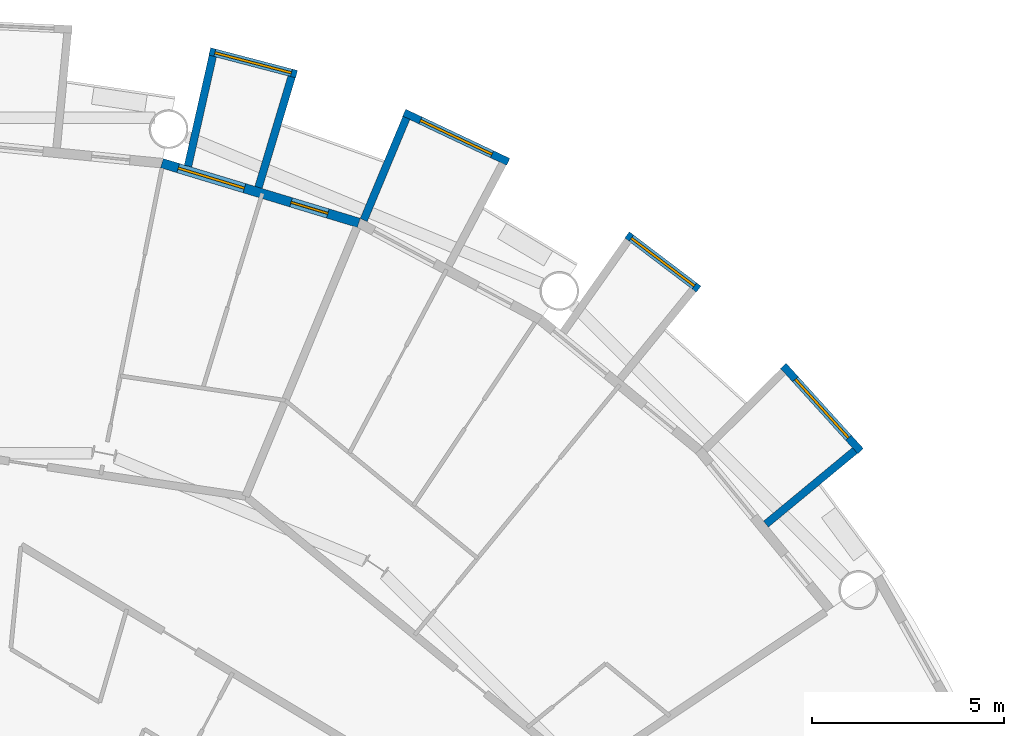
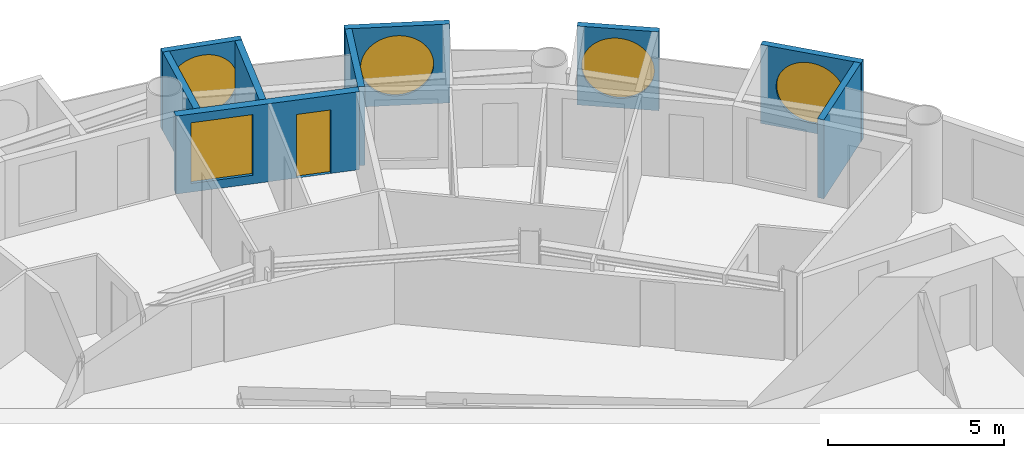
# One storey, part 22 of 26: 9 walls, 5 windows, 1 door, 6 openings.
"""IFC4 building model written with IfcOpenShell, lengths in metres."""

from ifc_helpers import new_model, si_unit, direction, frame, frame_2d, origin, place, context, subcontext, project, spatial, rectangle, circle, extrude, material, layer, layer_set, type_object, element, fill, save


model = new_model("IFC4")

# Units and contexts
model_context = context("Model", 3, precision=1e-05, world=origin(), true_north=direction((0.0, 1.0)))
body_context = subcontext(model_context, "Body", "Model", "MODEL_VIEW")
ifc_project = project(units=[si_unit("LENGTHUNIT", "METRE"), si_unit("AREAUNIT", "SQUARE_METRE"), si_unit("VOLUMEUNIT", "CUBIC_METRE"), si_unit("PLANEANGLEUNIT", "RADIAN"), si_unit("MASSUNIT", "GRAM", prefix="KILO")], contexts=[model_context])

# Site, building, storey
site_placement = place(None, origin())
site = spatial("IfcSite", under=ifc_project, at=site_placement, CompositionType="ELEMENT")
building_placement = place(site_placement, origin())
building = spatial("IfcBuilding", under=site, at=building_placement, Name="Maasbend Ring Residences", CompositionType="ELEMENT")
storey_placement = place(building_placement, frame((0.0, 0.0, 50.25)))
storey = spatial("IfcBuildingStorey", under=building, at=storey_placement, Name="L14", CompositionType="ELEMENT", Elevation=50.25)

# Wall, opening, window
ifc_material_1 = material(Name="Pale anodised aluminium panel", Category="aluminium")
ifc_layer_1 = layer(ifc_material_1, 0.199951171875)
ifc_layer_set_1 = layer_set([ifc_layer_1], Name="EW-BOX")
wall_type_1 = type_object("IfcWallType", Name="EW-BOX", PredefinedType="SOLIDWALL", material=ifc_layer_set_1)
wall_1_placement = place(storey_placement, frame((23.5029296875, 19.281982421875, -0.030029296875), z_axis=(0.0, 0.0, 1.0), x_axis=(-0.671506829416, 0.740998365753, 0.0)))
wall_1 = element("IfcWall", 1, at=wall_1_placement, inside=storey, type_object=wall_type_1, Name="Box front N02", PredefinedType="SOLIDWALL", context=body_context, shape_type="SweptSolid", body=[
    extrude(rectangle(XDim=2.9931640625, YDim=0.199951171875, at=frame_2d((1.49658203125, 0.0))), origin(), (0.0, 0.0, 1.0), 2.72998046875),
])
opening_1_placement = place(wall_1_placement, frame((0.45654296875, 0.0, 0.330078125)))
opening_1 = element("IfcOpeningElement", 2, at=opening_1_placement, cuts=wall_1, Name="Opening W-RD", PredefinedType="OPENING", context=body_context, shape_type="SweptSolid", body=[
    extrude(circle(Radius=1.0400390625, at=frame_2d((1.0400390625, 1.0400390625))), frame((0.0, 0.10986328125, 0.0), z_axis=(0.0, -1.0, 0.0), x_axis=(1.0, 0.0, 0.0)), (0.0, 0.0, 1.0), 0.219970703125),
])
ifc_material_2 = material(Name="Aluminium and clear glass", Category="aluminium")
window_type_1 = type_object("IfcWindowType", Name="W-RD", PartitioningType="SINGLE_PANEL", PredefinedType="WINDOW", material=ifc_material_2)
window_1_placement = place(opening_1_placement, origin())
window_1 = element("IfcWindow", 3, at=window_1_placement, inside=storey, type_object=window_type_1, Name="Round window N02", OverallHeight=2.080078125, OverallWidth=2.080078125, PartitioningType="SINGLE_PANEL", PredefinedType="WINDOW", context=body_context, shape_type="SweptSolid", body=[
    extrude(circle(Radius=1.0400390625, at=frame_2d((1.0400390625, 1.0400390625))), frame((0.0, 0.030029296875, 0.0), z_axis=(0.0, -1.0, 0.0), x_axis=(1.0, 0.0, 0.0)), (0.0, 0.0, 1.0), 0.06005859375),
])
fill(opening_1, window_1)

# Wall
wall_2_placement = place(storey_placement, frame((21.041015625, 17.384033203125, -0.030029296875), z_axis=(0.0, 0.0, 1.0), x_axis=(0.770784861449, 0.63709551667, 0.0)))
element("IfcWall", 4, at=wall_2_placement, inside=storey, type_object=wall_type_1, Name="Box side wall N02 left", PredefinedType="SOLIDWALL", context=body_context, shape_type="SweptSolid", body=[
    extrude(rectangle(XDim=3.005859375, YDim=0.199951171875, at=frame_2d((1.5029296875, 0.0))), origin(), (0.0, 0.0, 1.0), 2.72998046875),
])

# Wall, opening, window
wall_3_placement = place(storey_placement, frame((19.2890625, 23.4970703125, -0.030029296875), z_axis=(0.0, 0.0, 1.0), x_axis=(-0.796842165306, 0.60418752353, 0.0)))
wall_3 = element("IfcWall", 5, at=wall_3_placement, inside=storey, type_object=wall_type_1, Name="Box front N04", PredefinedType="SOLIDWALL", context=body_context, shape_type="SweptSolid", body=[
    extrude(rectangle(XDim=2.3369140625, YDim=0.199951171875, at=frame_2d((1.16845703125, 0.0))), origin(), (0.0, 0.0, 1.0), 2.72998046875),
])
opening_2_placement = place(wall_3_placement, frame((0.128173828125, 0.0, 0.330078125)))
opening_2 = element("IfcOpeningElement", 6, at=opening_2_placement, cuts=wall_3, Name="Opening W-RD", PredefinedType="OPENING", context=body_context, shape_type="SweptSolid", body=[
    extrude(circle(Radius=1.0400390625, at=frame_2d((1.0400390625, 1.0400390625))), frame((0.0, 0.10986328125, 0.0), z_axis=(0.0, -1.0, 0.0), x_axis=(1.0, 0.0, 0.0)), (0.0, 0.0, 1.0), 0.219970703125),
])
window_2_placement = place(opening_2_placement, origin())
window_2 = element("IfcWindow", 7, at=window_2_placement, inside=storey, type_object=window_type_1, Name="Round window N04", OverallHeight=2.080078125, OverallWidth=2.080078125, PartitioningType="SINGLE_PANEL", PredefinedType="WINDOW", context=body_context, shape_type="SweptSolid", body=[
    extrude(circle(Radius=1.0400390625, at=frame_2d((1.0400390625, 1.0400390625))), frame((0.0, 0.030029296875, 0.0), z_axis=(0.0, -1.0, 0.0), x_axis=(1.0, 0.0, 0.0)), (0.0, 0.0, 1.0), 0.06005859375),
])
fill(opening_2, window_2)

wall_4_placement = place(storey_placement, frame((14.3349609375, 26.80810546875, -0.030029296875), z_axis=(0.0, 0.0, 1.0), x_axis=(-0.904000060331, 0.427532327342, 0.0)))
wall_4 = element("IfcWall", 8, at=wall_4_placement, inside=storey, type_object=wall_type_1, Name="Box front N06", PredefinedType="SOLIDWALL", context=body_context, shape_type="SweptSolid", body=[
    extrude(rectangle(XDim=2.993408203125, YDim=0.199951171875, at=frame_2d((1.49658203125, 0.0))), origin(), (0.0, 0.0, 1.0), 2.72998046875),
])
opening_3_placement = place(wall_4_placement, frame((0.45654296875, 0.0, 0.330078125)))
opening_3 = element("IfcOpeningElement", 9, at=opening_3_placement, cuts=wall_4, Name="Opening W-RD", PredefinedType="OPENING", context=body_context, shape_type="SweptSolid", body=[
    extrude(circle(Radius=1.0400390625, at=frame_2d((1.0400390625, 1.0400390625))), frame((0.0, 0.10986328125, 0.0), z_axis=(0.0, -1.0, 0.0), x_axis=(1.0, 0.0, 0.0)), (0.0, 0.0, 1.0), 0.219970703125),
])
window_3_placement = place(opening_3_placement, origin())
window_3 = element("IfcWindow", 10, at=window_3_placement, inside=storey, type_object=window_type_1, Name="Round window N06", OverallHeight=2.080078125, OverallWidth=2.080078125, PartitioningType="SINGLE_PANEL", PredefinedType="WINDOW", context=body_context, shape_type="SweptSolid", body=[
    extrude(circle(Radius=1.0400390625, at=frame_2d((1.0400390625, 1.0400390625))), frame((0.0, 0.030029296875, 0.0), z_axis=(0.0, -1.0, 0.0), x_axis=(1.0, 0.0, 0.0)), (0.0, 0.0, 1.0), 0.06005859375),
])
fill(opening_3, window_3)

# Wall
wall_5_placement = place(storey_placement, frame((10.574951171875, 25.294921875, -0.030029296875), z_axis=(0.0, 0.0, 1.0), x_axis=(0.385697364644, 0.922625353492, 0.0)))
element("IfcWall", 11, at=wall_5_placement, inside=storey, type_object=wall_type_1, Name="Box side wall N06 right", PredefinedType="SOLIDWALL", context=body_context, shape_type="SweptSolid", body=[
    extrude(rectangle(XDim=2.88330078125, YDim=0.199951171875, at=frame_2d((1.441650390625, 0.0))), origin(), (0.0, 0.0, 1.0), 2.72998046875),
])

# Wall, opening, window
wall_6_placement = place(storey_placement, frame((8.827880859375, 29.090087890625, -0.030029296875), z_axis=(0.0, 0.0, 1.0), x_axis=(-0.967377102346, 0.253340762326, 0.0)))
wall_6 = element("IfcWall", 12, at=wall_6_placement, inside=storey, type_object=wall_type_1, Name="Box front N08", PredefinedType="SOLIDWALL", context=body_context, shape_type="SweptSolid", body=[
    extrude(rectangle(XDim=2.3359375, YDim=0.199951171875, at=frame_2d((1.16796875, 0.0))), origin(), (0.0, 0.0, 1.0), 2.72998046875),
])
opening_4_placement = place(wall_6_placement, frame((0.128173828125, 0.0, 0.330078125)))
opening_4 = element("IfcOpeningElement", 13, at=opening_4_placement, cuts=wall_6, Name="Opening W-RD", PredefinedType="OPENING", context=body_context, shape_type="SweptSolid", body=[
    extrude(circle(Radius=1.0400390625, at=frame_2d((1.0400390625, 1.0400390625))), frame((0.0, 0.10986328125, 0.0), z_axis=(0.0, -1.0, 0.0), x_axis=(1.0, 0.0, 0.0)), (0.0, 0.0, 1.0), 0.219970703125),
])
window_4_placement = place(opening_4_placement, origin())
window_4 = element("IfcWindow", 14, at=window_4_placement, inside=storey, type_object=window_type_1, Name="Round window N08", OverallHeight=2.080078125, OverallWidth=2.080078125, PartitioningType="SINGLE_PANEL", PredefinedType="WINDOW", context=body_context, shape_type="SweptSolid", body=[
    extrude(circle(Radius=1.0400390625, at=frame_2d((1.0400390625, 1.0400390625))), frame((0.0, 0.030029296875, 0.0), z_axis=(0.0, -1.0, 0.0), x_axis=(1.0, 0.0, 0.0)), (0.0, 0.0, 1.0), 0.06005859375),
])
fill(opening_4, window_4)

# Walls
wall_7_placement = place(storey_placement, frame((7.8369140625, 26.14404296875, -0.030029296875), z_axis=(0.0, 0.0, 1.0), x_axis=(0.287064767992, 0.957911174889, 0.0)))
element("IfcWall", 15, at=wall_7_placement, inside=storey, type_object=wall_type_1, Name="Box side wall N08 left", PredefinedType="SOLIDWALL", context=body_context, shape_type="SweptSolid", body=[
    extrude(rectangle(XDim=3.00634765625, YDim=0.199951171875, at=frame_2d((1.503173828125, 0.0))), origin(), (0.0, 0.0, 1.0), 2.72998046875),
])
wall_8_placement = place(storey_placement, frame((6.00390625, 26.699951171875, -0.030029296875), z_axis=(0.0, 0.0, 1.0), x_axis=(0.219609259383, 0.975587911566, 0.0)))
element("IfcWall", 16, at=wall_8_placement, inside=storey, type_object=wall_type_1, Name="Box side wall N08 right", PredefinedType="SOLIDWALL", context=body_context, shape_type="SweptSolid", body=[
    extrude(rectangle(XDim=2.9326171875, YDim=0.199951171875, at=frame_2d((1.46630859375, 0.0))), origin(), (0.0, 0.0, 1.0), 2.72998046875),
])

# Wall, openings, door, window
ifc_material_3 = material(Name="Aluminium clad insulated panel", Category="aluminium")
ifc_layer_2 = layer(ifc_material_3, 0.25)
ifc_layer_set_2 = layer_set([ifc_layer_2], Name="EW-GL")
wall_type_2 = type_object("IfcWallType", Name="EW-GL", PredefinedType="SOLIDWALL", material=ifc_layer_set_2)
wall_9_placement = place(storey_placement, frame((10.447021484375, 25.221923828125, 0.0), z_axis=(0.0, 0.0, 1.0), x_axis=(-0.956965678721, 0.290201119486, 0.0)))
wall_9 = element("IfcWall", 17, at=wall_9_placement, inside=storey, type_object=wall_type_2, Name="External wall N04", PredefinedType="SOLIDWALL", context=body_context, shape_type="SweptSolid", body=[
    extrude(rectangle(XDim=5.351318359375, YDim=0.25, at=frame_2d((2.67578125, 0.0))), origin(), (0.0, 0.0, 1.0), 2.699951171875),
])
opening_5_placement = place(wall_9_placement, frame((0.841064453125, 0.0, 0.0)))
opening_5 = element("IfcOpeningElement", 18, at=opening_5_placement, cuts=wall_9, Name="Opening D-LG", PredefinedType="OPENING", context=body_context, shape_type="SweptSolid", body=[
    extrude(rectangle(XDim=1.0, YDim=2.199951171875, at=frame_2d((0.5, 1.10009765625))), frame((0.0, 0.135009765625, 0.0), z_axis=(0.0, -1.0, 0.0), x_axis=(1.0, 0.0, 0.0)), (0.0, 0.0, 1.0), 0.27001953125),
])
opening_6_placement = place(wall_9_placement, frame((3.110595703125, 0.0, 0.300048828125)))
opening_6 = element("IfcOpeningElement", 19, at=opening_6_placement, cuts=wall_9, Name="Opening W-BX", PredefinedType="OPENING", context=body_context, shape_type="SweptSolid", body=[
    extrude(rectangle(XDim=1.800048828125, YDim=2.10009765625, at=frame_2d((0.89990234375, 1.050048828125))), frame((0.0, 0.135009765625, 0.0), z_axis=(0.0, -1.0, 0.0), x_axis=(1.0, 0.0, 0.0)), (0.0, 0.0, 1.0), 0.27001953125),
])
ifc_material_4 = material(Name="Aluminium and clear glass", Category="aluminium")
door_type = type_object("IfcDoorType", Name="D-LG", OperationType="SINGLE_SWING_LEFT", PredefinedType="DOOR", material=ifc_material_4)
door_placement = place(opening_5_placement, origin())
door = element("IfcDoor", 20, at=door_placement, inside=storey, type_object=door_type, Name="Loggia door N07", OperationType="SINGLE_SWING_LEFT", OverallHeight=2.199951171875, OverallWidth=1.0, PredefinedType="DOOR", context=body_context, shape_type="SweptSolid", body=[
    extrude(rectangle(XDim=1.0, YDim=2.199951171875, at=frame_2d((0.5, 1.10009765625))), frame((0.0, 0.02490234375, 0.0), z_axis=(0.0, -1.0, 0.0), x_axis=(1.0, 0.0, 0.0)), (0.0, 0.0, 1.0), 0.050048828125),
])
fill(opening_5, door)
ifc_material_5 = material(Name="Aluminium and clear glass", Category="aluminium")
window_type_2 = type_object("IfcWindowType", Name="W-BX", PartitioningType="DOUBLE_PANEL_VERTICAL", PredefinedType="WINDOW", material=ifc_material_5)
window_5_placement = place(opening_6_placement, origin())
window_5 = element("IfcWindow", 21, at=window_5_placement, inside=storey, type_object=window_type_2, Name="Window N08 room to box", OverallHeight=2.10009765625, OverallWidth=1.800048828125, PartitioningType="SINGLE_PANEL", PredefinedType="WINDOW", context=body_context, shape_type="SweptSolid", body=[
    extrude(rectangle(XDim=1.800048828125, YDim=2.10009765625, at=frame_2d((0.89990234375, 1.050048828125))), frame((0.0, 0.030029296875, 0.0), z_axis=(0.0, -1.0, 0.0), x_axis=(1.0, 0.0, 0.0)), (0.0, 0.0, 1.0), 0.06005859375),
])
fill(opening_6, window_5)

save(model, "model.ifc")
